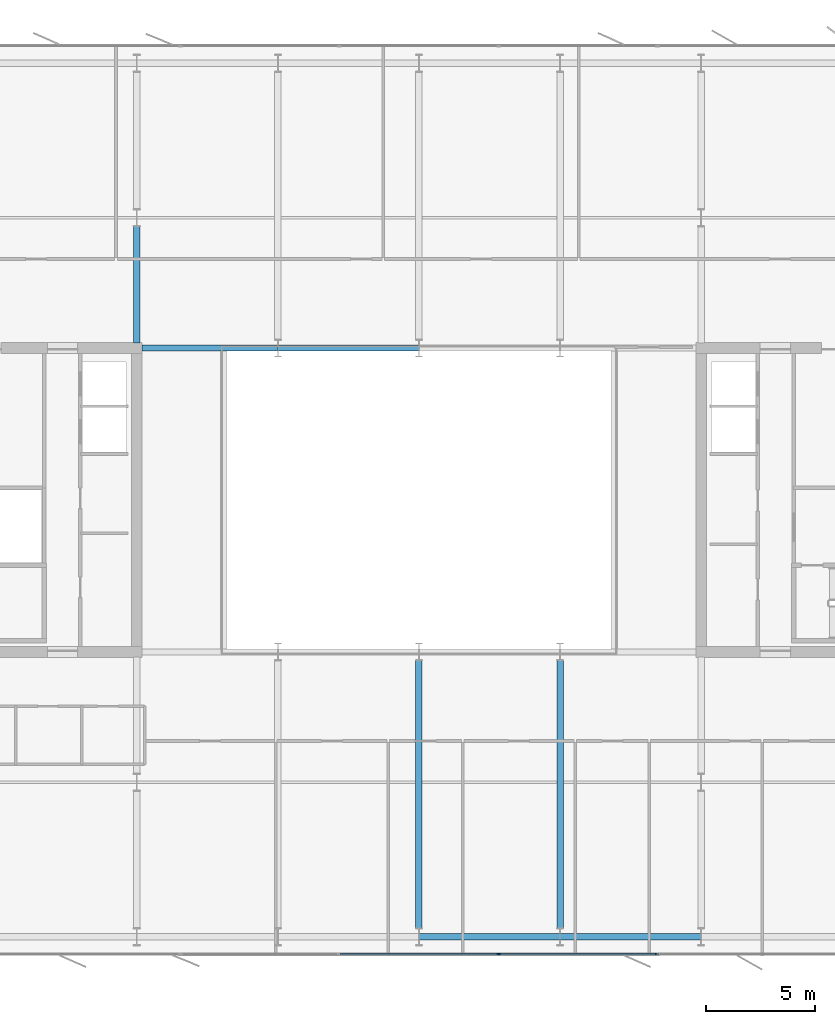
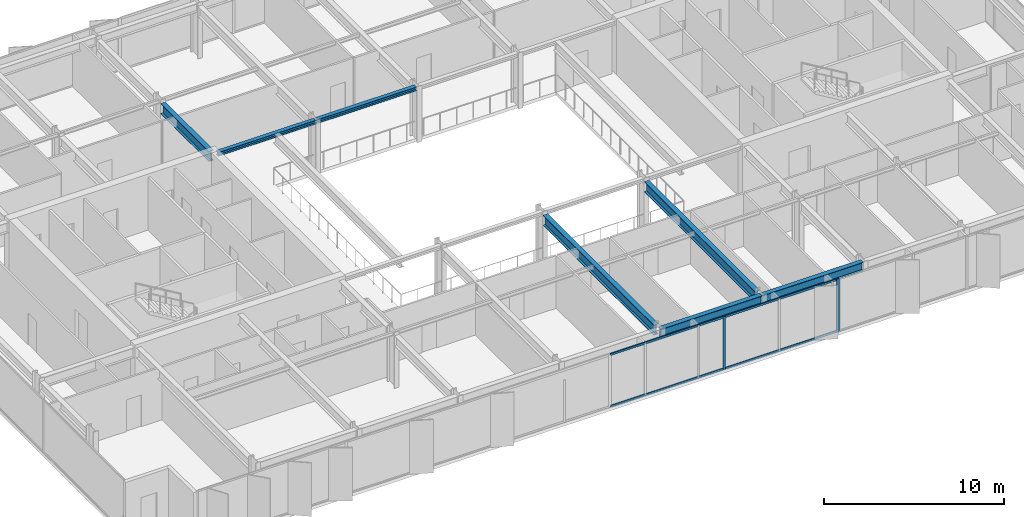
# One storey, part 6 of 24: 7 beams, 6 members, 1 element without a shape of its own.
"""IFC4 building model written with IfcOpenShell, lengths in metres."""

from ifc_helpers import new_model, si_unit, direction, frame, origin, origin_2d, place, context, subcontext, project, spatial, rectangle, i_section, extrude, material, layer, layer_set, material_profile, profile_set, type_object, element, aggregate, save


model = new_model("IFC4")

# Units and contexts
model_context = context("Model", 3, precision=1e-05, world=origin(), true_north=direction((0.0, 1.0)))
body_context = subcontext(model_context, "Body", "Model", "MODEL_VIEW")
ifc_project = project(units=[si_unit("LENGTHUNIT", "METRE"), si_unit("AREAUNIT", "SQUARE_METRE"), si_unit("VOLUMEUNIT", "CUBIC_METRE"), si_unit("PLANEANGLEUNIT", "RADIAN"), si_unit("MASSUNIT", "GRAM", prefix="KILO")], contexts=[model_context])

# Site, building, storey
site_placement = place(None, origin())
site = spatial("IfcSite", under=ifc_project, at=site_placement, CompositionType="ELEMENT")
building_placement = place(site_placement, origin())
building = spatial("IfcBuilding", under=site, at=building_placement, Name="Putna Gate Headquarters", CompositionType="ELEMENT")
storey_placement = place(building_placement, frame((0.0, 0.0, 236.60009765625)))
storey = spatial("IfcBuildingStorey", under=building, at=storey_placement, Name="L59", CompositionType="ELEMENT", Elevation=236.60009765625)

# Beams
ifc_material_1 = material(Name="Steel S355J2", Category="steel")
ifc_material_profile_1 = material_profile(ifc_material_1, i_section(OverallWidth=0.260009765625, OverallDepth=0.260009765625, WebThickness=0.010009765625, FlangeThickness=0.017578125, at=origin_2d()), Name="Steel S355J2")
ifc_profile_set_1 = profile_set([ifc_material_profile_1], Name="Steel S355J2")
beam_type_1 = type_object("IfcBeamType", Name="BM-ATRIUM-HEB260", PredefinedType="BEAM", material=ifc_profile_set_1)
beam_1_placement = place(storey_placement, frame((26.235107421875, 33.0, 3.449951171875), z_axis=(1.0, 0.0, 0.0), x_axis=(0.0, 1.0, 0.0)))
element("IfcBeam", 1, at=beam_1_placement, inside=storey, type_object=beam_type_1, Name="L59 Atrium Edge Beam AN1", PredefinedType="BEAM", context=body_context, shape_type="SweptSolid", body=[
    extrude(i_section(OverallWidth=0.260009765625, OverallDepth=0.260009765625, WebThickness=0.010009765625, FlangeThickness=0.017578125, at=origin_2d()), origin(), (0.0, 0.0, 1.0), 6.2587890625),
])
beam_2_placement = place(storey_placement, frame((32.506103515625, 33.0, 3.449951171875), z_axis=(1.0, 0.0, 0.0), x_axis=(0.0, 1.0, 0.0)))
element("IfcBeam", 2, at=beam_2_placement, inside=storey, type_object=beam_type_1, Name="L59 Atrium Edge Beam AN2", PredefinedType="BEAM", context=body_context, shape_type="SweptSolid", body=[
    extrude(i_section(OverallWidth=0.260009765625, OverallDepth=0.260009765625, WebThickness=0.010009765625, FlangeThickness=0.017578125, at=origin_2d()), origin(), (0.0, 0.0, 1.0), 6.48779296875),
])
ifc_material_profile_2 = material_profile(ifc_material_1, i_section(OverallWidth=0.300048828125, OverallDepth=0.699951171875, WebThickness=0.01708984375, FlangeThickness=0.031982421875, at=origin_2d()), Name="Steel S355J2")
ifc_profile_set_2 = profile_set([ifc_material_profile_2], Name="Steel S355J2")
beam_type_2 = type_object("IfcBeamType", Name="BM-GIRD-B-HEB700", PredefinedType="USERDEFINED", material=ifc_profile_set_2)
beam_3_placement = place(storey_placement, frame((26.0, 33.235107421875, 3.22998046875), z_axis=(0.0, 1.0, 0.0), x_axis=(-1.0, 0.0, 0.0)))
element("IfcBeam", 3, at=beam_3_placement, inside=storey, type_object=beam_type_2, Name="L59 North Primary Girder X26-1", ObjectType="GIRDER", PredefinedType="USERDEFINED", context=body_context, shape_type="SweptSolid", body=[
    extrude(i_section(OverallWidth=0.300048828125, OverallDepth=0.699951171875, WebThickness=0.01708984375, FlangeThickness=0.031982421875, at=origin_2d()), origin(), (0.0, 0.0, 1.0), 5.369873046875),
])
for number, where, z_axis, x_axis, name in (
    (4, (39.0, 6.27490234375, 3.22998046875), (0.0, 1.0, 0.0), (-1.0, 0.0, 0.0), "L59 South Primary Girder X39"),
    (5, (45.5, 6.27490234375, 3.22998046875), (0.0, 1.0, 0.0), (-1.0, 0.0, 0.0), "L59 South Primary Girder X45"),
):
    element("IfcBeam", number, at=place(storey_placement, frame(where, z_axis=z_axis, x_axis=x_axis)), inside=storey, type_object=beam_type_2, Name=name, ObjectType="GIRDER", PredefinedType="USERDEFINED", context=body_context, shape_type="SweptSolid", body=[
        extrude(i_section(OverallWidth=0.300048828125, OverallDepth=0.699951171875, WebThickness=0.01708984375, FlangeThickness=0.031982421875, at=origin_2d()), origin(), (0.0, 0.0, 1.0), 12.330078125),
    ])
ifc_material_profile_3 = material_profile(ifc_material_1, i_section(OverallWidth=0.300048828125, OverallDepth=0.590087890625, WebThickness=0.012939453125, FlangeThickness=0.02490234375, at=origin_2d()), Name="Steel S355J2")
ifc_profile_set_3 = profile_set([ifc_material_profile_3], Name="Steel S355J2")
beam_type_3 = type_object("IfcBeamType", Name="BM-SPAN-Z4-HEA600", PredefinedType="SPANDREL", material=ifc_profile_set_3)
for number, where, z_axis, x_axis, name in (
    (6, (39.006103515625, 5.8798828125, 3.284912109375), (1.0, 0.0, 0.0), (0.0, 1.0, 0.0), "L59 S Perimeter Spandrel 5"),
    (7, (45.506103515625, 5.8798828125, 3.284912109375), (1.0, 0.0, 0.0), (0.0, 1.0, 0.0), "L59 S Perimeter Spandrel 6"),
):
    element("IfcBeam", number, at=place(storey_placement, frame(where, z_axis=z_axis, x_axis=x_axis)), inside=storey, type_object=beam_type_3, Name=name, PredefinedType="SPANDREL", context=body_context, shape_type="SweptSolid", body=[
        extrude(i_section(OverallWidth=0.300048828125, OverallDepth=0.590087890625, WebThickness=0.012939453125, FlangeThickness=0.02490234375, at=origin_2d()), origin(), (0.0, 0.0, 1.0), 6.48779296875),
    ])

# Curtain wall, members
ifc_material_2 = material(Name="Anodised bronze aluminium curtain wall", Category="aluminium")
ifc_layer = layer(ifc_material_2, 0.179931640625)
ifc_layer_set = layer_set([ifc_layer], Name="Anodised bronze aluminium curtain wall")
curtain_wall_type = type_object("IfcCurtainWallType", Name="CW-SYS-ATR", PredefinedType="USERDEFINED", material=ifc_layer_set)
curtain_wall_placement = place(storey_placement, origin())
curtain_wall = element("IfcCurtainWall", 8, at=curtain_wall_placement, inside=storey, type_object=curtain_wall_type, Name="L59 South Atrium Clear Glazing", ObjectType="ATRIUM GLAZING", PredefinedType="USERDEFINED")
ifc_material_3 = material(Name="Anodised bronze aluminium EN AW-6060", Category="aluminium")
ifc_material_profile_4 = material_profile(ifc_material_3, rectangle(XDim=0.070068359375, YDim=0.179931640625, at=origin_2d()), Name="Anodised bronze aluminium EN AW-6060")
ifc_profile_set_4 = profile_set([ifc_material_profile_4], Name="Anodised bronze aluminium EN AW-6060")
member_type_1 = type_object("IfcMemberType", Name="MULL-CWM-AT", PredefinedType="MULLION", material=ifc_profile_set_4)
member_1_placement = place(storey_placement, frame((42.666748046875, 5.080078125, 0.0), z_axis=(0.0, 0.0, 1.0), x_axis=(0.0, 1.0, 0.0)))
member_1 = element("IfcMember", 9, at=member_1_placement, type_object=member_type_1, Name="CWS-AT mullion 3", PredefinedType="MULLION", context=body_context, shape_type="SweptSolid", body=[
    extrude(rectangle(XDim=0.070068359375, YDim=0.179931640625, at=origin_2d()), origin(), (0.0, 0.0, 1.0), 3.579833984375),
])
member_2_placement = place(storey_placement, frame((49.965087890625, 5.080078125, 0.0), z_axis=(0.0, 0.0, 1.0), x_axis=(0.0, 1.0, 0.0)))
member_2 = element("IfcMember", 10, at=member_2_placement, type_object=member_type_1, Name="CWS-AT mullion 4", PredefinedType="MULLION", context=body_context, shape_type="SweptSolid", body=[
    extrude(rectangle(XDim=0.070068359375, YDim=0.179931640625, at=origin_2d()), origin(), (0.0, 0.0, 1.0), 3.579833984375),
])
ifc_material_profile_5 = material_profile(ifc_material_3, rectangle(XDim=0.070068359375, YDim=0.139892578125, at=origin_2d()), Name="Anodised bronze aluminium EN AW-6060")
ifc_profile_set_5 = profile_set([ifc_material_profile_5], Name="Anodised bronze aluminium EN AW-6060")
member_type_2 = type_object("IfcMemberType", Name="TRAN-CWT-AT", PredefinedType="USERDEFINED", material=ifc_profile_set_5)
member_3_placement = place(storey_placement, frame((35.368408203125, 5.080078125, 0.034912109375), z_axis=(1.0, 0.0, 0.0), x_axis=(0.0, 1.0, 0.0)))
member_3 = element("IfcMember", 11, at=member_3_placement, type_object=member_type_2, Name="CWS-AT transom 2.1", ObjectType="TRANSOM", PredefinedType="USERDEFINED", context=body_context, shape_type="SweptSolid", body=[
    extrude(rectangle(XDim=0.070068359375, YDim=0.139892578125, at=origin_2d()), origin(), (0.0, 0.0, 1.0), 7.26318359375),
])
member_4_placement = place(storey_placement, frame((35.368408203125, 5.080078125, 3.544921875), z_axis=(1.0, 0.0, 0.0), x_axis=(0.0, 1.0, 0.0)))
member_4 = element("IfcMember", 12, at=member_4_placement, type_object=member_type_2, Name="CWS-AT transom 2.2", ObjectType="TRANSOM", PredefinedType="USERDEFINED", context=body_context, shape_type="SweptSolid", body=[
    extrude(rectangle(XDim=0.070068359375, YDim=0.139892578125, at=origin_2d()), origin(), (0.0, 0.0, 1.0), 7.26318359375),
])
member_5_placement = place(storey_placement, frame((42.70166015625, 5.080078125, 0.034912109375), z_axis=(1.0, 0.0, 0.0), x_axis=(0.0, 1.0, 0.0)))
member_5 = element("IfcMember", 13, at=member_5_placement, type_object=member_type_2, Name="CWS-AT transom 3.1", ObjectType="TRANSOM", PredefinedType="USERDEFINED", context=body_context, shape_type="SweptSolid", body=[
    extrude(rectangle(XDim=0.070068359375, YDim=0.139892578125, at=origin_2d()), origin(), (0.0, 0.0, 1.0), 7.228271484375),
])
member_6_placement = place(storey_placement, frame((42.70166015625, 5.080078125, 3.544921875), z_axis=(1.0, 0.0, 0.0), x_axis=(0.0, 1.0, 0.0)))
member_6 = element("IfcMember", 14, at=member_6_placement, type_object=member_type_2, Name="CWS-AT transom 3.2", ObjectType="TRANSOM", PredefinedType="USERDEFINED", context=body_context, shape_type="SweptSolid", body=[
    extrude(rectangle(XDim=0.070068359375, YDim=0.139892578125, at=origin_2d()), origin(), (0.0, 0.0, 1.0), 7.228271484375),
])
aggregate(curtain_wall, [member_1, member_2, member_3, member_4, member_5, member_6])

save(model, "model.ifc")
